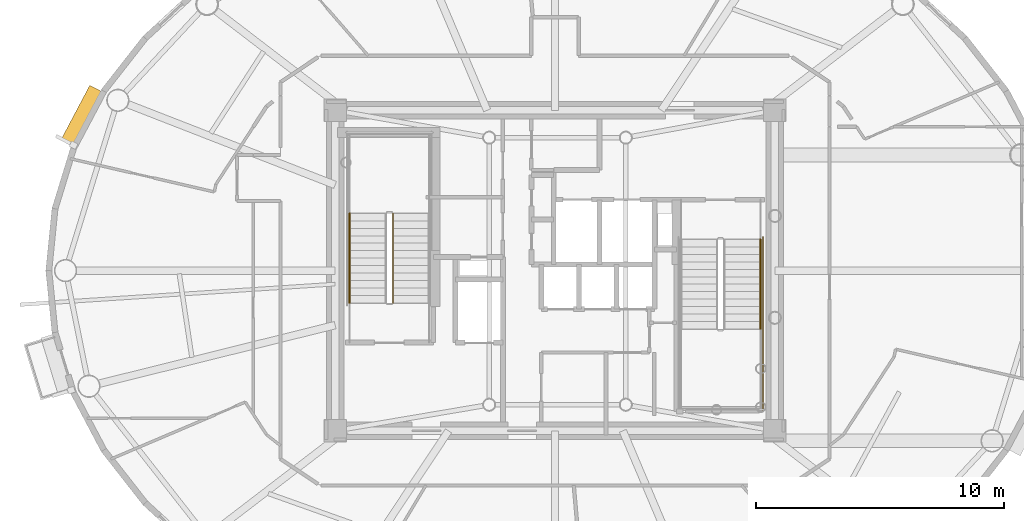
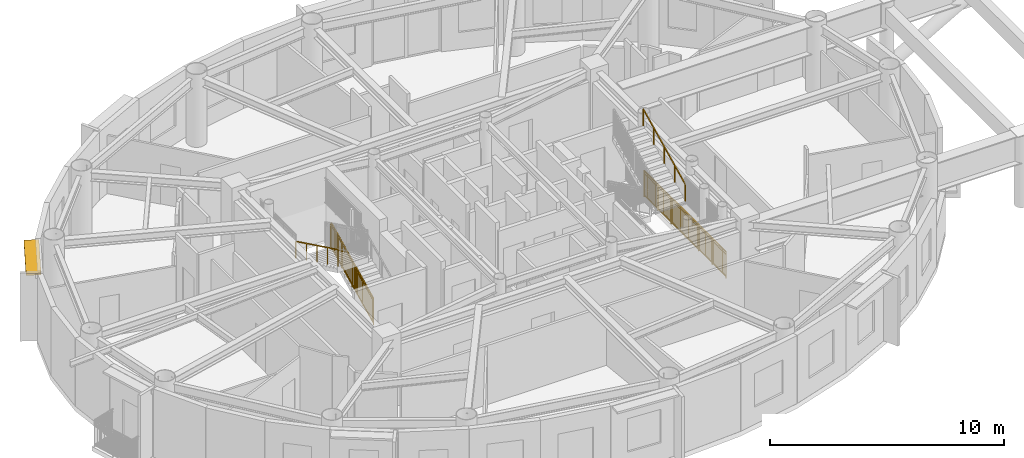
# One storey, part 16 of 19: 4 railings, 1 shading device.
"""IFC4 building model written with IfcOpenShell, lengths in metres."""

from ifc_helpers import new_model, si_unit, direction, frame, origin, origin_2d, place, context, subcontext, project, spatial, rectangle, extrude, source, transform, mapped, material, layer, layer_set, type_object, element, save


model = new_model("IFC4")

# Units and contexts
model_context = context("Model", 3, precision=1e-05, world=origin(), true_north=direction((0.0, 1.0)))
body_context = subcontext(model_context, "Body", "Model", "MODEL_VIEW")
ifc_project = project(units=[si_unit("LENGTHUNIT", "METRE"), si_unit("AREAUNIT", "SQUARE_METRE"), si_unit("VOLUMEUNIT", "CUBIC_METRE"), si_unit("PLANEANGLEUNIT", "RADIAN"), si_unit("MASSUNIT", "GRAM", prefix="KILO")], contexts=[model_context])

# Site, building, storey
site_placement = place(None, origin())
site = spatial("IfcSite", under=ifc_project, at=site_placement, CompositionType="ELEMENT")
building_placement = place(site_placement, origin())
building = spatial("IfcBuilding", under=site, at=building_placement, Name="Linh Dai School and Residence Tower", CompositionType="ELEMENT")
storey_placement = place(building_placement, frame((0.0, 0.0, 339.199951171875)))
storey = spatial("IfcBuildingStorey", under=building, at=storey_placement, Name="L84", CompositionType="ELEMENT", Elevation=339.199951171875)

# Shading device
ifc_material_1 = material(Name="Terracotta Ceramic Sunshade", Category="masonry")
ifc_layer = layer(ifc_material_1, 0.10009765625)
ifc_layer_set = layer_set([ifc_layer], Name="Terracotta Ceramic Sunshade")
shading_device_type = type_object("IfcShadingDeviceType", Name="SHD-TC-650", PredefinedType="USERDEFINED", material=ifc_layer_set)
shared_shape_1 = source(origin(), body_context, "Body", "SweptSolid", [
    extrude(rectangle(XDim=2.505615234375, YDim=0.64990234375, at=origin_2d()), origin(), (0.0, 0.0, 1.0), 0.10009765625),
])
shading_device_placement = place(storey_placement, frame((16.97705078125, 33.2001953125, 3.429931640625), z_axis=(0.0, 0.0, 1.0), x_axis=(0.46754020214, 0.883971809156, 0.0)))
element("IfcShadingDevice", 1, at=shading_device_placement, inside=storey, type_object=shading_device_type, Name="L84 Terracotta Horizontal Sunshade Band 18", ObjectType="SUNSHADE", PredefinedType="USERDEFINED", context=body_context, shape_type="MappedRepresentation", body=[
    mapped(shared_shape_1, transform((0.0, 0.0, 0.0), x_axis=(1.0, 0.0, 0.0), y_axis=(0.0, 1.0, 0.0), z_axis=(0.0, 0.0, 1.0), scale=1.0)),
])

# Railings
ifc_material_2 = material(Name="Brushed Stainless Steel Handrail", Category="steel")
railing_type_1 = type_object("IfcRailingType", Name="RL-ST-HANDRAIL-900", PredefinedType="HANDRAIL", material=ifc_material_2)
shared_shape_2 = source(origin(), body_context, "Body", "SweptSolid", [
    extrude(rectangle(XDim=0.048095703125, YDim=0.048095703125, at=origin_2d()), frame((0.0, 0.0, 0.8759765625), z_axis=(0.0, -0.898988637874, 0.437971949985), x_axis=(1.0, 0.0, 0.0)), (0.0, 0.0, 1.0), 4.004638671875),
    extrude(rectangle(XDim=0.0419921875, YDim=0.0419921875, at=origin_2d()), origin(), (0.0, 0.0, 1.0), 0.8759765625),
    extrude(rectangle(XDim=0.0419921875, YDim=0.0419921875, at=origin_2d()), frame((0.0, -0.89990234375, 0.4384765625)), (0.0, 0.0, 1.0), 0.8759765625),
    extrude(rectangle(XDim=0.0419921875, YDim=0.0419921875, at=origin_2d()), frame((0.0, -1.800048828125, 0.876953125)), (0.0, 0.0, 1.0), 0.8759765625),
    extrude(rectangle(XDim=0.0419921875, YDim=0.0419921875, at=origin_2d()), frame((0.0, -2.7001953125, 1.3154296875)), (0.0, 0.0, 1.0), 0.8759765625),
    extrude(rectangle(XDim=0.0419921875, YDim=0.0419921875, at=origin_2d()), frame((0.0, -3.60009765625, 1.75390625)), (0.0, 0.0, 1.0), 0.8759765625),
])
railing_1_placement = place(storey_placement, frame((27.72998046875, 29.300048828125, 2.046142578125)))
element("IfcRailing", 2, at=railing_1_placement, inside=storey, type_object=railing_type_1, Name="L84 ST1 stair handrail 2", PredefinedType="HANDRAIL", context=body_context, shape_type="MappedRepresentation", body=[
    mapped(shared_shape_2, transform((0.0, 0.0, 0.0), x_axis=(1.0, 0.0, 0.0), y_axis=(0.0, 1.0, 0.0), z_axis=(0.0, 0.0, 1.0), scale=1.0)),
])
ifc_material_3 = material(Name="Structural Steel S355JR", Category="steel")
railing_type_2 = type_object("IfcRailingType", Name="RL-ST-GUARD-1400", PredefinedType="GUARDRAIL", material=ifc_material_3)
shared_shape_3 = source(origin(), body_context, "Body", "SweptSolid", [
    extrude(rectangle(XDim=0.048095703125, YDim=0.048095703125, at=origin_2d()), frame((0.0, 0.0, 1.3759765625), z_axis=(0.0, 0.898988637874, 0.437971949985), x_axis=(-1.0, 0.0, 0.0)), (0.0, 0.0, 1.0), 4.004638671875),
    extrude(rectangle(XDim=0.048095703125, YDim=0.048095703125, at=origin_2d()), frame((0.0, 0.0, 0.10009765625), z_axis=(0.0, 0.898988637874, 0.437971949985), x_axis=(-1.0, 0.0, 0.0)), (0.0, 0.0, 1.0), 4.004638671875),
    extrude(rectangle(XDim=0.030029296875, YDim=0.030029296875, at=origin_2d()), frame((0.0, 0.0, 1.239990234375), z_axis=(0.0, 0.898988637874, 0.437971949985), x_axis=(-1.0, 0.0, 0.0)), (0.0, 0.0, 1.0), 4.004638671875),
    extrude(rectangle(XDim=0.02001953125, YDim=0.02001953125, at=origin_2d()), frame((0.0, 0.087890625, 0.142822265625)), (0.0, 0.0, 1.0), 1.251708984375),
    extrude(rectangle(XDim=0.02001953125, YDim=0.02001953125, at=origin_2d()), frame((0.0, 0.175537109375, 0.185546875)), (0.0, 0.0, 1.0), 1.251708984375),
    extrude(rectangle(XDim=0.02001953125, YDim=0.02001953125, at=origin_2d()), frame((0.0, 0.263427734375, 0.228515625)), (0.0, 0.0, 1.0), 1.251708984375),
    extrude(rectangle(XDim=0.02001953125, YDim=0.02001953125, at=origin_2d()), frame((0.0, 0.351318359375, 0.271240234375)), (0.0, 0.0, 1.0), 1.251708984375),
    extrude(rectangle(XDim=0.02001953125, YDim=0.02001953125, at=origin_2d()), frame((0.0, 0.43896484375, 0.31396484375)), (0.0, 0.0, 1.0), 1.251708984375),
    extrude(rectangle(XDim=0.02001953125, YDim=0.02001953125, at=origin_2d()), frame((0.0, 0.52685546875, 0.356689453125)), (0.0, 0.0, 1.0), 1.251708984375),
    extrude(rectangle(XDim=0.02001953125, YDim=0.02001953125, at=origin_2d()), frame((0.0, 0.61474609375, 0.399658203125)), (0.0, 0.0, 1.0), 1.251708984375),
    extrude(rectangle(XDim=0.02001953125, YDim=0.02001953125, at=origin_2d()), frame((0.0, 0.702392578125, 0.4423828125)), (0.0, 0.0, 1.0), 1.251708984375),
    extrude(rectangle(XDim=0.02001953125, YDim=0.02001953125, at=origin_2d()), frame((0.0, 0.790283203125, 0.485107421875)), (0.0, 0.0, 1.0), 1.251708984375),
    extrude(rectangle(XDim=0.02001953125, YDim=0.02001953125, at=origin_2d()), frame((0.0, 0.9658203125, 0.570556640625)), (0.0, 0.0, 1.0), 1.251708984375),
    extrude(rectangle(XDim=0.02001953125, YDim=0.02001953125, at=origin_2d()), frame((0.0, 1.0537109375, 0.613525390625)), (0.0, 0.0, 1.0), 1.251708984375),
    extrude(rectangle(XDim=0.02001953125, YDim=0.02001953125, at=origin_2d()), frame((0.0, 1.1416015625, 0.65625)), (0.0, 0.0, 1.0), 1.251708984375),
    extrude(rectangle(XDim=0.02001953125, YDim=0.02001953125, at=origin_2d()), frame((0.0, 1.229248046875, 0.698974609375)), (0.0, 0.0, 1.0), 1.251708984375),
    extrude(rectangle(XDim=0.02001953125, YDim=0.02001953125, at=origin_2d()), frame((0.0, 1.317138671875, 0.74169921875)), (0.0, 0.0, 1.0), 1.251708984375),
    extrude(rectangle(XDim=0.02001953125, YDim=0.02001953125, at=origin_2d()), frame((0.0, 1.405029296875, 0.78466796875)), (0.0, 0.0, 1.0), 1.251708984375),
    extrude(rectangle(XDim=0.02001953125, YDim=0.02001953125, at=origin_2d()), frame((0.0, 1.49267578125, 0.827392578125)), (0.0, 0.0, 1.0), 1.251708984375),
    extrude(rectangle(XDim=0.02001953125, YDim=0.02001953125, at=origin_2d()), frame((0.0, 1.58056640625, 0.8701171875)), (0.0, 0.0, 1.0), 1.251708984375),
    extrude(rectangle(XDim=0.02001953125, YDim=0.02001953125, at=origin_2d()), frame((0.0, 1.66845703125, 0.912841796875)), (0.0, 0.0, 1.0), 1.251708984375),
    extrude(rectangle(XDim=0.02001953125, YDim=0.02001953125, at=origin_2d()), frame((0.0, 1.756103515625, 0.95556640625)), (0.0, 0.0, 1.0), 1.251708984375),
    extrude(rectangle(XDim=0.02001953125, YDim=0.02001953125, at=origin_2d()), frame((0.0, 1.843994140625, 0.99853515625)), (0.0, 0.0, 1.0), 1.251708984375),
    extrude(rectangle(XDim=0.02001953125, YDim=0.02001953125, at=origin_2d()), frame((0.0, 1.931640625, 1.041259765625)), (0.0, 0.0, 1.0), 1.251708984375),
    extrude(rectangle(XDim=0.02001953125, YDim=0.02001953125, at=origin_2d()), frame((0.0, 2.01953125, 1.083984375)), (0.0, 0.0, 1.0), 1.251708984375),
    extrude(rectangle(XDim=0.02001953125, YDim=0.02001953125, at=origin_2d()), frame((0.0, 2.107421875, 1.126708984375)), (0.0, 0.0, 1.0), 1.251708984375),
    extrude(rectangle(XDim=0.02001953125, YDim=0.02001953125, at=origin_2d()), frame((0.0, 2.195068359375, 1.16943359375)), (0.0, 0.0, 1.0), 1.251708984375),
    extrude(rectangle(XDim=0.02001953125, YDim=0.02001953125, at=origin_2d()), frame((0.0, 2.282958984375, 1.21240234375)), (0.0, 0.0, 1.0), 1.251708984375),
    extrude(rectangle(XDim=0.02001953125, YDim=0.02001953125, at=origin_2d()), frame((0.0, 2.370849609375, 1.255126953125)), (0.0, 0.0, 1.0), 1.251708984375),
    extrude(rectangle(XDim=0.02001953125, YDim=0.02001953125, at=origin_2d()), frame((0.0, 2.45849609375, 1.2978515625)), (0.0, 0.0, 1.0), 1.251708984375),
    extrude(rectangle(XDim=0.02001953125, YDim=0.02001953125, at=origin_2d()), frame((0.0, 2.54638671875, 1.340576171875)), (0.0, 0.0, 1.0), 1.251708984375),
    extrude(rectangle(XDim=0.02001953125, YDim=0.02001953125, at=origin_2d()), frame((0.0, 2.63427734375, 1.383544921875)), (0.0, 0.0, 1.0), 1.251708984375),
    extrude(rectangle(XDim=0.02001953125, YDim=0.02001953125, at=origin_2d()), frame((0.0, 2.809814453125, 1.468994140625)), (0.0, 0.0, 1.0), 1.251708984375),
    extrude(rectangle(XDim=0.02001953125, YDim=0.02001953125, at=origin_2d()), frame((0.0, 2.897705078125, 1.51171875)), (0.0, 0.0, 1.0), 1.251708984375),
    extrude(rectangle(XDim=0.02001953125, YDim=0.02001953125, at=origin_2d()), frame((0.0, 2.9853515625, 1.554443359375)), (0.0, 0.0, 1.0), 1.251708984375),
    extrude(rectangle(XDim=0.02001953125, YDim=0.02001953125, at=origin_2d()), frame((0.0, 3.0732421875, 1.597412109375)), (0.0, 0.0, 1.0), 1.251708984375),
    extrude(rectangle(XDim=0.02001953125, YDim=0.02001953125, at=origin_2d()), frame((0.0, 3.1611328125, 1.64013671875)), (0.0, 0.0, 1.0), 1.251708984375),
    extrude(rectangle(XDim=0.02001953125, YDim=0.02001953125, at=origin_2d()), frame((0.0, 3.248779296875, 1.682861328125)), (0.0, 0.0, 1.0), 1.251708984375),
    extrude(rectangle(XDim=0.02001953125, YDim=0.02001953125, at=origin_2d()), frame((0.0, 3.336669921875, 1.7255859375)), (0.0, 0.0, 1.0), 1.251708984375),
    extrude(rectangle(XDim=0.02001953125, YDim=0.02001953125, at=origin_2d()), frame((0.0, 3.424560546875, 1.7685546875)), (0.0, 0.0, 1.0), 1.251708984375),
    extrude(rectangle(XDim=0.02001953125, YDim=0.02001953125, at=origin_2d()), frame((0.0, 3.51220703125, 1.811279296875)), (0.0, 0.0, 1.0), 1.251708984375),
    extrude(rectangle(XDim=0.0419921875, YDim=0.0419921875, at=origin_2d()), origin(), (0.0, 0.0, 1.0), 1.3759765625),
    extrude(rectangle(XDim=0.0419921875, YDim=0.0419921875, at=origin_2d()), frame((0.0, 0.89990234375, 0.4384765625)), (0.0, 0.0, 1.0), 1.3759765625),
    extrude(rectangle(XDim=0.0419921875, YDim=0.0419921875, at=origin_2d()), frame((0.0, 1.800048828125, 0.876953125)), (0.0, 0.0, 1.0), 1.3759765625),
    extrude(rectangle(XDim=0.0419921875, YDim=0.0419921875, at=origin_2d()), frame((0.0, 2.7001953125, 1.3154296875)), (0.0, 0.0, 1.0), 1.3759765625),
    extrude(rectangle(XDim=0.0419921875, YDim=0.0419921875, at=origin_2d()), frame((0.0, 3.60009765625, 1.75390625)), (0.0, 0.0, 1.0), 1.3759765625),
])
railing_2_placement = place(storey_placement, frame((29.47998046875, 25.699951171875, 0.146240234375)))
element("IfcRailing", 3, at=railing_2_placement, inside=storey, type_object=railing_type_2, Name="L84 ST1 stair guard 1", PredefinedType="GUARDRAIL", context=body_context, shape_type="MappedRepresentation", body=[
    mapped(shared_shape_3, transform((0.0, 0.0, 0.0), x_axis=(1.0, 0.0, 0.0), y_axis=(0.0, 1.0, 0.0), z_axis=(0.0, 0.0, 1.0), scale=1.0)),
])
shared_shape_4 = source(origin(), body_context, "Body", "SweptSolid", [
    extrude(rectangle(XDim=0.048095703125, YDim=0.048095703125, at=origin_2d()), frame((0.0, 0.0, 0.8759765625), z_axis=(0.0, 0.898988637874, 0.437971949985), x_axis=(-1.0, 0.0, 0.0)), (0.0, 0.0, 1.0), 4.004638671875),
    extrude(rectangle(XDim=0.0419921875, YDim=0.0419921875, at=origin_2d()), origin(), (0.0, 0.0, 1.0), 0.8759765625),
    extrude(rectangle(XDim=0.0419921875, YDim=0.0419921875, at=origin_2d()), frame((0.0, 0.89990234375, 0.4384765625)), (0.0, 0.0, 1.0), 0.8759765625),
    extrude(rectangle(XDim=0.0419921875, YDim=0.0419921875, at=origin_2d()), frame((0.0, 1.800048828125, 0.876953125)), (0.0, 0.0, 1.0), 0.8759765625),
    extrude(rectangle(XDim=0.0419921875, YDim=0.0419921875, at=origin_2d()), frame((0.0, 2.7001953125, 1.3154296875)), (0.0, 0.0, 1.0), 0.8759765625),
    extrude(rectangle(XDim=0.0419921875, YDim=0.0419921875, at=origin_2d()), frame((0.0, 3.60009765625, 1.75390625)), (0.0, 0.0, 1.0), 0.8759765625),
])
railing_3_placement = place(storey_placement, frame((44.27001953125, 24.64990234375, 2.046142578125)))
element("IfcRailing", 4, at=railing_3_placement, inside=storey, type_object=railing_type_1, Name="L84 ST2 stair handrail 2", PredefinedType="HANDRAIL", context=body_context, shape_type="MappedRepresentation", body=[
    mapped(shared_shape_4, transform((0.0, 0.0, 0.0), x_axis=(1.0, 0.0, 0.0), y_axis=(0.0, 1.0, 0.0), z_axis=(0.0, 0.0, 1.0), scale=1.0)),
])
shared_shape_5 = source(origin(), body_context, "Body", "SweptSolid", [
    extrude(rectangle(XDim=0.048095703125, YDim=0.048095703125, at=origin_2d()), frame((0.0, 0.0, 1.3759765625), z_axis=(0.0, -1.0, 0.0), x_axis=(1.0, 0.0, 0.0)), (0.0, 0.0, 1.0), 7.0),
    extrude(rectangle(XDim=0.048095703125, YDim=0.048095703125, at=origin_2d()), frame((0.0, 0.0, 0.10009765625), z_axis=(0.0, -1.0, 0.0), x_axis=(1.0, 0.0, 0.0)), (0.0, 0.0, 1.0), 7.0),
    extrude(rectangle(XDim=0.030029296875, YDim=0.030029296875, at=origin_2d()), frame((0.0, 0.0, 1.239990234375), z_axis=(0.0, -1.0, 0.0), x_axis=(1.0, 0.0, 0.0)), (0.0, 0.0, 1.0), 7.0),
    extrude(rectangle(XDim=0.02001953125, YDim=0.02001953125, at=origin_2d()), frame((0.0, -0.09716796875, 0.10009765625)), (0.0, 0.0, 1.0), 1.251708984375),
    extrude(rectangle(XDim=0.02001953125, YDim=0.02001953125, at=origin_2d()), frame((0.0, -0.1943359375, 0.10009765625)), (0.0, 0.0, 1.0), 1.251708984375),
    extrude(rectangle(XDim=0.02001953125, YDim=0.02001953125, at=origin_2d()), frame((0.0, -0.291748046875, 0.10009765625)), (0.0, 0.0, 1.0), 1.251708984375),
    extrude(rectangle(XDim=0.02001953125, YDim=0.02001953125, at=origin_2d()), frame((0.0, -0.388916015625, 0.10009765625)), (0.0, 0.0, 1.0), 1.251708984375),
    extrude(rectangle(XDim=0.02001953125, YDim=0.02001953125, at=origin_2d()), frame((0.0, -0.486083984375, 0.10009765625)), (0.0, 0.0, 1.0), 1.251708984375),
    extrude(rectangle(XDim=0.02001953125, YDim=0.02001953125, at=origin_2d()), frame((0.0, -0.583251953125, 0.10009765625)), (0.0, 0.0, 1.0), 1.251708984375),
    extrude(rectangle(XDim=0.02001953125, YDim=0.02001953125, at=origin_2d()), frame((0.0, -0.6806640625, 0.10009765625)), (0.0, 0.0, 1.0), 1.251708984375),
    extrude(rectangle(XDim=0.02001953125, YDim=0.02001953125, at=origin_2d()), frame((0.0, -0.77783203125, 0.10009765625)), (0.0, 0.0, 1.0), 1.251708984375),
    extrude(rectangle(XDim=0.02001953125, YDim=0.02001953125, at=origin_2d()), frame((0.0, -0.875, 0.10009765625)), (0.0, 0.0, 1.0), 1.251708984375),
    extrude(rectangle(XDim=0.02001953125, YDim=0.02001953125, at=origin_2d()), frame((0.0, -0.97216796875, 0.10009765625)), (0.0, 0.0, 1.0), 1.251708984375),
    extrude(rectangle(XDim=0.02001953125, YDim=0.02001953125, at=origin_2d()), frame((0.0, -1.0693359375, 0.10009765625)), (0.0, 0.0, 1.0), 1.251708984375),
    extrude(rectangle(XDim=0.02001953125, YDim=0.02001953125, at=origin_2d()), frame((0.0, -1.263916015625, 0.10009765625)), (0.0, 0.0, 1.0), 1.251708984375),
    extrude(rectangle(XDim=0.02001953125, YDim=0.02001953125, at=origin_2d()), frame((0.0, -1.361083984375, 0.10009765625)), (0.0, 0.0, 1.0), 1.251708984375),
    extrude(rectangle(XDim=0.02001953125, YDim=0.02001953125, at=origin_2d()), frame((0.0, -1.458251953125, 0.10009765625)), (0.0, 0.0, 1.0), 1.251708984375),
    extrude(rectangle(XDim=0.02001953125, YDim=0.02001953125, at=origin_2d()), frame((0.0, -1.5556640625, 0.10009765625)), (0.0, 0.0, 1.0), 1.251708984375),
    extrude(rectangle(XDim=0.02001953125, YDim=0.02001953125, at=origin_2d()), frame((0.0, -1.65283203125, 0.10009765625)), (0.0, 0.0, 1.0), 1.251708984375),
    extrude(rectangle(XDim=0.02001953125, YDim=0.02001953125, at=origin_2d()), frame((0.0, -1.75, 0.10009765625)), (0.0, 0.0, 1.0), 1.251708984375),
    extrude(rectangle(XDim=0.02001953125, YDim=0.02001953125, at=origin_2d()), frame((0.0, -1.84716796875, 0.10009765625)), (0.0, 0.0, 1.0), 1.251708984375),
    extrude(rectangle(XDim=0.02001953125, YDim=0.02001953125, at=origin_2d()), frame((0.0, -1.9443359375, 0.10009765625)), (0.0, 0.0, 1.0), 1.251708984375),
    extrude(rectangle(XDim=0.02001953125, YDim=0.02001953125, at=origin_2d()), frame((0.0, -2.041748046875, 0.10009765625)), (0.0, 0.0, 1.0), 1.251708984375),
    extrude(rectangle(XDim=0.02001953125, YDim=0.02001953125, at=origin_2d()), frame((0.0, -2.138916015625, 0.10009765625)), (0.0, 0.0, 1.0), 1.251708984375),
    extrude(rectangle(XDim=0.02001953125, YDim=0.02001953125, at=origin_2d()), frame((0.0, -2.236083984375, 0.10009765625)), (0.0, 0.0, 1.0), 1.251708984375),
    extrude(rectangle(XDim=0.02001953125, YDim=0.02001953125, at=origin_2d()), frame((0.0, -2.4306640625, 0.10009765625)), (0.0, 0.0, 1.0), 1.251708984375),
    extrude(rectangle(XDim=0.02001953125, YDim=0.02001953125, at=origin_2d()), frame((0.0, -2.52783203125, 0.10009765625)), (0.0, 0.0, 1.0), 1.251708984375),
    extrude(rectangle(XDim=0.02001953125, YDim=0.02001953125, at=origin_2d()), frame((0.0, -2.625, 0.10009765625)), (0.0, 0.0, 1.0), 1.251708984375),
    extrude(rectangle(XDim=0.02001953125, YDim=0.02001953125, at=origin_2d()), frame((0.0, -2.72216796875, 0.10009765625)), (0.0, 0.0, 1.0), 1.251708984375),
    extrude(rectangle(XDim=0.02001953125, YDim=0.02001953125, at=origin_2d()), frame((0.0, -2.8193359375, 0.10009765625)), (0.0, 0.0, 1.0), 1.251708984375),
    extrude(rectangle(XDim=0.02001953125, YDim=0.02001953125, at=origin_2d()), frame((0.0, -2.916748046875, 0.10009765625)), (0.0, 0.0, 1.0), 1.251708984375),
    extrude(rectangle(XDim=0.02001953125, YDim=0.02001953125, at=origin_2d()), frame((0.0, -3.013916015625, 0.10009765625)), (0.0, 0.0, 1.0), 1.251708984375),
    extrude(rectangle(XDim=0.02001953125, YDim=0.02001953125, at=origin_2d()), frame((0.0, -3.111083984375, 0.10009765625)), (0.0, 0.0, 1.0), 1.251708984375),
    extrude(rectangle(XDim=0.02001953125, YDim=0.02001953125, at=origin_2d()), frame((0.0, -3.208251953125, 0.10009765625)), (0.0, 0.0, 1.0), 1.251708984375),
    extrude(rectangle(XDim=0.02001953125, YDim=0.02001953125, at=origin_2d()), frame((0.0, -3.3056640625, 0.10009765625)), (0.0, 0.0, 1.0), 1.251708984375),
    extrude(rectangle(XDim=0.02001953125, YDim=0.02001953125, at=origin_2d()), frame((0.0, -3.40283203125, 0.10009765625)), (0.0, 0.0, 1.0), 1.251708984375),
    extrude(rectangle(XDim=0.02001953125, YDim=0.02001953125, at=origin_2d()), frame((0.0, -3.59716796875, 0.10009765625)), (0.0, 0.0, 1.0), 1.251708984375),
    extrude(rectangle(XDim=0.02001953125, YDim=0.02001953125, at=origin_2d()), frame((0.0, -3.6943359375, 0.10009765625)), (0.0, 0.0, 1.0), 1.251708984375),
    extrude(rectangle(XDim=0.02001953125, YDim=0.02001953125, at=origin_2d()), frame((0.0, -3.791748046875, 0.10009765625)), (0.0, 0.0, 1.0), 1.251708984375),
    extrude(rectangle(XDim=0.02001953125, YDim=0.02001953125, at=origin_2d()), frame((0.0, -3.888916015625, 0.10009765625)), (0.0, 0.0, 1.0), 1.251708984375),
    extrude(rectangle(XDim=0.02001953125, YDim=0.02001953125, at=origin_2d()), frame((0.0, -3.986083984375, 0.10009765625)), (0.0, 0.0, 1.0), 1.251708984375),
    extrude(rectangle(XDim=0.02001953125, YDim=0.02001953125, at=origin_2d()), frame((0.0, -4.083251953125, 0.10009765625)), (0.0, 0.0, 1.0), 1.251708984375),
    extrude(rectangle(XDim=0.02001953125, YDim=0.02001953125, at=origin_2d()), frame((0.0, -4.1806640625, 0.10009765625)), (0.0, 0.0, 1.0), 1.251708984375),
    extrude(rectangle(XDim=0.02001953125, YDim=0.02001953125, at=origin_2d()), frame((0.0, -4.27783203125, 0.10009765625)), (0.0, 0.0, 1.0), 1.251708984375),
    extrude(rectangle(XDim=0.02001953125, YDim=0.02001953125, at=origin_2d()), frame((0.0, -4.375, 0.10009765625)), (0.0, 0.0, 1.0), 1.251708984375),
    extrude(rectangle(XDim=0.02001953125, YDim=0.02001953125, at=origin_2d()), frame((0.0, -4.47216796875, 0.10009765625)), (0.0, 0.0, 1.0), 1.251708984375),
    extrude(rectangle(XDim=0.02001953125, YDim=0.02001953125, at=origin_2d()), frame((0.0, -4.5693359375, 0.10009765625)), (0.0, 0.0, 1.0), 1.251708984375),
    extrude(rectangle(XDim=0.02001953125, YDim=0.02001953125, at=origin_2d()), frame((0.0, -4.763916015625, 0.10009765625)), (0.0, 0.0, 1.0), 1.251708984375),
    extrude(rectangle(XDim=0.02001953125, YDim=0.02001953125, at=origin_2d()), frame((0.0, -4.861083984375, 0.10009765625)), (0.0, 0.0, 1.0), 1.251708984375),
    extrude(rectangle(XDim=0.02001953125, YDim=0.02001953125, at=origin_2d()), frame((0.0, -4.958251953125, 0.10009765625)), (0.0, 0.0, 1.0), 1.251708984375),
    extrude(rectangle(XDim=0.02001953125, YDim=0.02001953125, at=origin_2d()), frame((0.0, -5.0556640625, 0.10009765625)), (0.0, 0.0, 1.0), 1.251708984375),
    extrude(rectangle(XDim=0.02001953125, YDim=0.02001953125, at=origin_2d()), frame((0.0, -5.15283203125, 0.10009765625)), (0.0, 0.0, 1.0), 1.251708984375),
    extrude(rectangle(XDim=0.02001953125, YDim=0.02001953125, at=origin_2d()), frame((0.0, -5.25, 0.10009765625)), (0.0, 0.0, 1.0), 1.251708984375),
    extrude(rectangle(XDim=0.02001953125, YDim=0.02001953125, at=origin_2d()), frame((0.0, -5.34716796875, 0.10009765625)), (0.0, 0.0, 1.0), 1.251708984375),
    extrude(rectangle(XDim=0.02001953125, YDim=0.02001953125, at=origin_2d()), frame((0.0, -5.4443359375, 0.10009765625)), (0.0, 0.0, 1.0), 1.251708984375),
    extrude(rectangle(XDim=0.02001953125, YDim=0.02001953125, at=origin_2d()), frame((0.0, -5.541748046875, 0.10009765625)), (0.0, 0.0, 1.0), 1.251708984375),
    extrude(rectangle(XDim=0.02001953125, YDim=0.02001953125, at=origin_2d()), frame((0.0, -5.638916015625, 0.10009765625)), (0.0, 0.0, 1.0), 1.251708984375),
    extrude(rectangle(XDim=0.02001953125, YDim=0.02001953125, at=origin_2d()), frame((0.0, -5.736083984375, 0.10009765625)), (0.0, 0.0, 1.0), 1.251708984375),
    extrude(rectangle(XDim=0.02001953125, YDim=0.02001953125, at=origin_2d()), frame((0.0, -5.9306640625, 0.10009765625)), (0.0, 0.0, 1.0), 1.251708984375),
    extrude(rectangle(XDim=0.02001953125, YDim=0.02001953125, at=origin_2d()), frame((0.0, -6.02783203125, 0.10009765625)), (0.0, 0.0, 1.0), 1.251708984375),
    extrude(rectangle(XDim=0.02001953125, YDim=0.02001953125, at=origin_2d()), frame((0.0, -6.125, 0.10009765625)), (0.0, 0.0, 1.0), 1.251708984375),
    extrude(rectangle(XDim=0.02001953125, YDim=0.02001953125, at=origin_2d()), frame((0.0, -6.22216796875, 0.10009765625)), (0.0, 0.0, 1.0), 1.251708984375),
    extrude(rectangle(XDim=0.02001953125, YDim=0.02001953125, at=origin_2d()), frame((0.0, -6.3193359375, 0.10009765625)), (0.0, 0.0, 1.0), 1.251708984375),
    extrude(rectangle(XDim=0.02001953125, YDim=0.02001953125, at=origin_2d()), frame((0.0, -6.416748046875, 0.10009765625)), (0.0, 0.0, 1.0), 1.251708984375),
    extrude(rectangle(XDim=0.02001953125, YDim=0.02001953125, at=origin_2d()), frame((0.0, -6.513916015625, 0.10009765625)), (0.0, 0.0, 1.0), 1.251708984375),
    extrude(rectangle(XDim=0.02001953125, YDim=0.02001953125, at=origin_2d()), frame((0.0, -6.611083984375, 0.10009765625)), (0.0, 0.0, 1.0), 1.251708984375),
    extrude(rectangle(XDim=0.02001953125, YDim=0.02001953125, at=origin_2d()), frame((0.0, -6.708251953125, 0.10009765625)), (0.0, 0.0, 1.0), 1.251708984375),
    extrude(rectangle(XDim=0.02001953125, YDim=0.02001953125, at=origin_2d()), frame((0.0, -6.8056640625, 0.10009765625)), (0.0, 0.0, 1.0), 1.251708984375),
    extrude(rectangle(XDim=0.02001953125, YDim=0.02001953125, at=origin_2d()), frame((0.0, -6.90283203125, 0.10009765625)), (0.0, 0.0, 1.0), 1.251708984375),
    extrude(rectangle(XDim=0.0419921875, YDim=0.0419921875, at=origin_2d()), origin(), (0.0, 0.0, 1.0), 1.3759765625),
    extrude(rectangle(XDim=0.0419921875, YDim=0.0419921875, at=origin_2d()), frame((0.0, -1.166748046875, 0.0)), (0.0, 0.0, 1.0), 1.3759765625),
    extrude(rectangle(XDim=0.0419921875, YDim=0.0419921875, at=origin_2d()), frame((0.0, -2.333251953125, 0.0)), (0.0, 0.0, 1.0), 1.3759765625),
    extrude(rectangle(XDim=0.0419921875, YDim=0.0419921875, at=origin_2d()), frame((0.0, -3.5, 0.0)), (0.0, 0.0, 1.0), 1.3759765625),
    extrude(rectangle(XDim=0.0419921875, YDim=0.0419921875, at=origin_2d()), frame((0.0, -4.666748046875, 0.0)), (0.0, 0.0, 1.0), 1.3759765625),
    extrude(rectangle(XDim=0.0419921875, YDim=0.0419921875, at=origin_2d()), frame((0.0, -5.833251953125, 0.0)), (0.0, 0.0, 1.0), 1.3759765625),
    extrude(rectangle(XDim=0.0419921875, YDim=0.0419921875, at=origin_2d()), frame((0.0, -7.0, 0.0)), (0.0, 0.0, 1.0), 1.3759765625),
])
railing_4_placement = place(storey_placement, frame((44.3701171875, 28.35009765625, 0.0)))
element("IfcRailing", 5, at=railing_4_placement, inside=storey, type_object=railing_type_2, Name="L84 ST2 stair guard 11", PredefinedType="GUARDRAIL", context=body_context, shape_type="MappedRepresentation", body=[
    mapped(shared_shape_5, transform((0.0, 0.0, 0.0), x_axis=(1.0, 0.0, 0.0), y_axis=(0.0, 1.0, 0.0), z_axis=(0.0, 0.0, 1.0), scale=1.0)),
])

save(model, "model.ifc")
